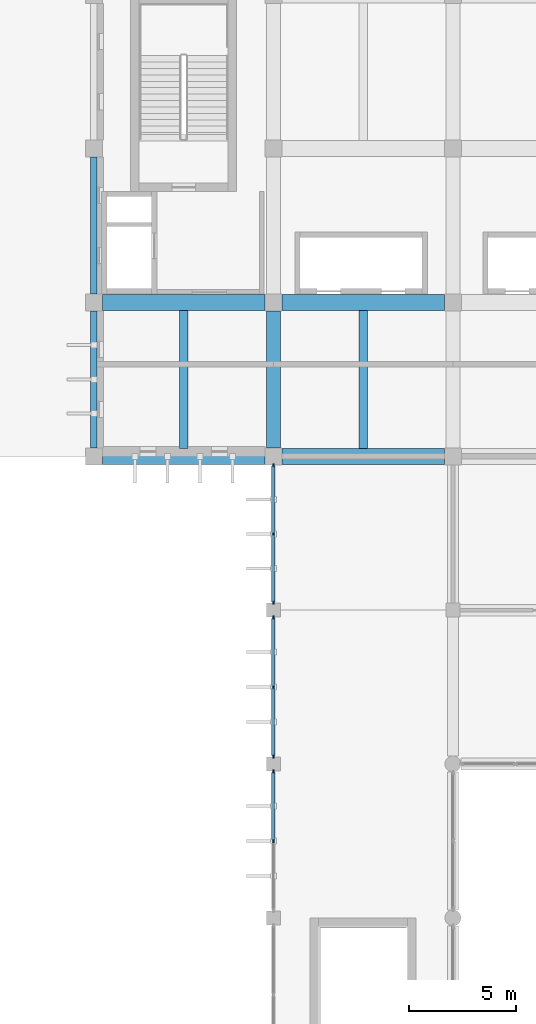
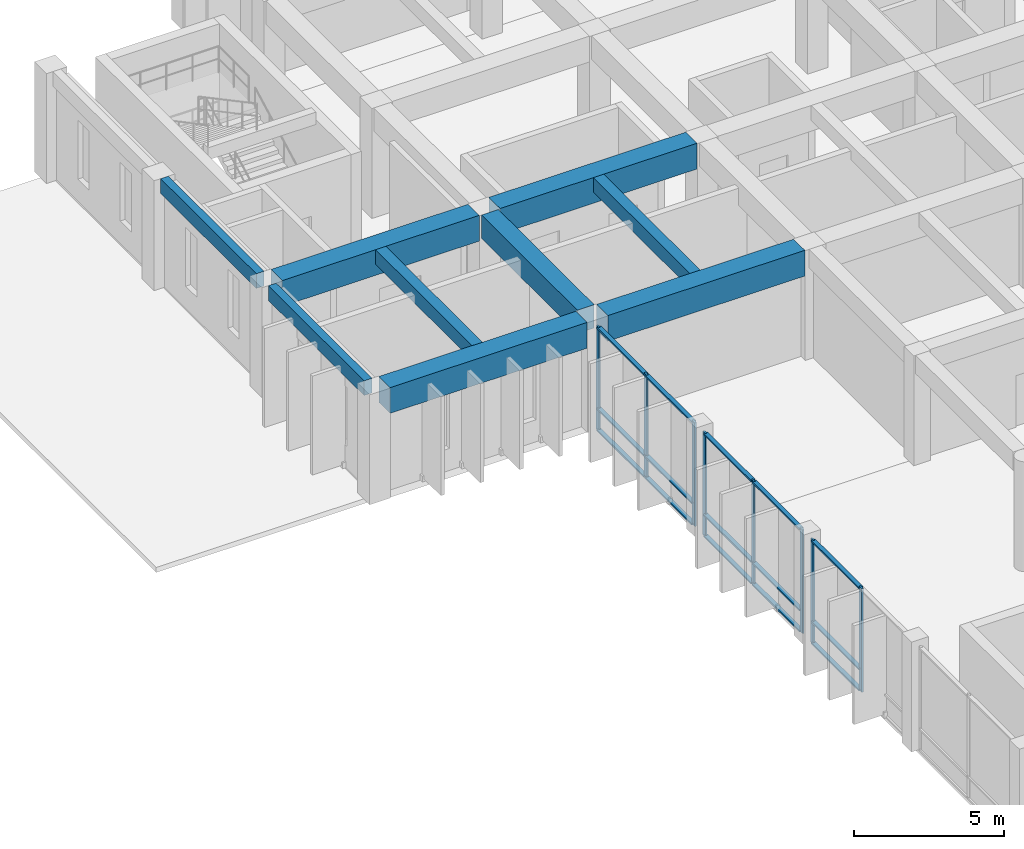
# One storey, part 15 of 40: 23 members, 9 beams, 3 elements without a shape of their own.
"""IFC4 building model written with IfcOpenShell, lengths in metres."""

from ifc_helpers import new_model, si_unit, direction, frame, origin, origin_2d, place, context, subcontext, project, spatial, rectangle, extrude, material, material_profile, profile_set, type_object, element, aggregate, save


model = new_model("IFC4")

# Units and contexts
model_context = context("Model", 3, precision=1e-05, world=origin(), true_north=direction((0.0, 1.0)))
body_context = subcontext(model_context, "Body", "Model", "MODEL_VIEW")
ifc_project = project(units=[si_unit("LENGTHUNIT", "METRE"), si_unit("AREAUNIT", "SQUARE_METRE"), si_unit("VOLUMEUNIT", "CUBIC_METRE"), si_unit("PLANEANGLEUNIT", "RADIAN"), si_unit("MASSUNIT", "GRAM", prefix="KILO")], contexts=[model_context])

# Site, building, storey
site_placement = place(None, origin())
site = spatial("IfcSite", under=ifc_project, at=site_placement, CompositionType="ELEMENT")
building_placement = place(site_placement, origin())
building = spatial("IfcBuilding", under=site, at=building_placement, Name="Kenerak Square Central Library", CompositionType="ELEMENT")
storey_placement = place(building_placement, frame((0.0, 0.0, 14.39990234375)))
storey = spatial("IfcBuildingStorey", under=building, at=storey_placement, Name="L03", CompositionType="ELEMENT", Elevation=14.39990234375)

# Beams
ifc_material_1 = material(Name="Concrete C45/55", Category="concrete")
ifc_material_profile_1 = material_profile(ifc_material_1, rectangle(XDim=0.64990234375, YDim=0.949951171875, at=origin_2d()), Name="RC 650x950")
ifc_profile_set_1 = profile_set([ifc_material_profile_1], Name="Concrete C45/55")
beam_type_1 = type_object("IfcBeamType", Name="Book Stack Girder B-02 RC 650x950 C45/55", PredefinedType="BEAM", material=ifc_profile_set_1)
beam_1_placement = place(storey_placement, frame((66.800048828125, 89.199951171875, 4.005126953125), z_axis=(0.0, 1.0, 0.0), x_axis=(-1.0, 0.0, 0.0)))
element("IfcBeam", 1, at=beam_1_placement, inside=storey, type_object=beam_type_1, Name="Beam B-02 L03 1464", PredefinedType="BEAM", context=body_context, shape_type="SweptSolid", body=[
    extrude(rectangle(XDim=0.64990234375, YDim=0.949951171875, at=origin_2d()), origin(), (0.0, 0.0, 1.0), 6.400146484375),
])
ifc_material_profile_2 = material_profile(ifc_material_1, rectangle(XDim=0.75, YDim=1.050048828125, at=origin_2d()), Name="RC 750x1050")
ifc_profile_set_2 = profile_set([ifc_material_profile_2], Name="Concrete C45/55")
beam_type_2 = type_object("IfcBeamType", Name="Compact Stack Girder B-01 RC 750x1050 C45/55", PredefinedType="BEAM", material=ifc_profile_set_2)
beam_2_placement = place(storey_placement, frame((58.800048828125, 88.800048828125, 3.955078125), z_axis=(1.0, 0.0, 0.0), x_axis=(0.0, 1.0, 0.0)))
element("IfcBeam", 2, at=beam_2_placement, inside=storey, type_object=beam_type_2, Name="Beam B-01 L03 1435", PredefinedType="BEAM", context=body_context, shape_type="SweptSolid", body=[
    extrude(rectangle(XDim=0.75, YDim=1.050048828125, at=origin_2d()), origin(), (0.0, 0.0, 1.0), 7.599853515625),
])
beam_3_placement = place(storey_placement, frame((67.199951171875, 88.800048828125, 3.955078125), z_axis=(1.0, 0.0, 0.0), x_axis=(0.0, 1.0, 0.0)))
element("IfcBeam", 3, at=beam_3_placement, inside=storey, type_object=beam_type_2, Name="Beam B-01 L03 1436", PredefinedType="BEAM", context=body_context, shape_type="SweptSolid", body=[
    extrude(rectangle(XDim=0.75, YDim=1.050048828125, at=origin_2d()), origin(), (0.0, 0.0, 1.0), 7.60009765625),
])
beam_4_placement = place(storey_placement, frame((58.800048828125, 96.0, 3.955078125), z_axis=(1.0, 0.0, 0.0), x_axis=(0.0, 1.0, 0.0)))
element("IfcBeam", 4, at=beam_4_placement, inside=storey, type_object=beam_type_2, Name="Beam B-01 L03 1443", PredefinedType="BEAM", context=body_context, shape_type="SweptSolid", body=[
    extrude(rectangle(XDim=0.75, YDim=1.050048828125, at=origin_2d()), origin(), (0.0, 0.0, 1.0), 7.599853515625),
])
beam_5_placement = place(storey_placement, frame((67.199951171875, 96.0, 3.955078125), z_axis=(1.0, 0.0, 0.0), x_axis=(0.0, 1.0, 0.0)))
element("IfcBeam", 5, at=beam_5_placement, inside=storey, type_object=beam_type_2, Name="Beam B-01 L03 1444", PredefinedType="BEAM", context=body_context, shape_type="SweptSolid", body=[
    extrude(rectangle(XDim=0.75, YDim=1.050048828125, at=origin_2d()), origin(), (0.0, 0.0, 1.0), 7.60009765625),
])
ifc_material_2 = material(Name="Concrete C40/50", Category="concrete")
ifc_material_profile_3 = material_profile(ifc_material_2, rectangle(XDim=0.300048828125, YDim=0.60009765625, at=origin_2d()), Name="RC 300x600")
ifc_profile_set_3 = profile_set([ifc_material_profile_3], Name="Concrete C40/50")
beam_type_3 = type_object("IfcBeamType", Name="Courtyard Spandrel Beam SP-02 RC 300x600 C40/50", PredefinedType="SPANDREL", material=ifc_profile_set_3)
for number, where, z_axis, x_axis, name in (
    (6, (58.39990234375, 89.199951171875, 4.18017578125), (0.0, 1.0, 0.0), (-1.0, 0.0, 0.0), "Beam SP-02 L03 1461"),
    (7, (58.39990234375, 96.39990234375, 4.18017578125), (0.0, 1.0, 0.0), (-1.0, 0.0, 0.0), "Beam SP-02 L03 1462"),
):
    element("IfcBeam", number, at=place(storey_placement, frame(where, z_axis=z_axis, x_axis=x_axis)), inside=storey, type_object=beam_type_3, Name=name, PredefinedType="SPANDREL", context=body_context, shape_type="SweptSolid", body=[
        extrude(rectangle(XDim=0.300048828125, YDim=0.60009765625, at=origin_2d()), origin(), (0.0, 0.0, 1.0), 6.400146484375),
    ])

# Curtain wall, members
ifc_material_3 = material(Name="Anodised aluminium and solar-control low-E glazing", Category="aluminium")
curtain_wall_type_1 = type_object("IfcCurtainWallType", Name="Curtain Wall CW-V4-65x42 6550x4230", PredefinedType="USERDEFINED", material=ifc_material_3)
curtain_wall_1_placement = place(storey_placement, origin())
curtain_wall_1 = element("IfcCurtainWall", 8, at=curtain_wall_1_placement, inside=storey, type_object=curtain_wall_type_1, Name="Curtain Wall CW-V4-65x42 L03 0113", ObjectType="CURTAIN WALL", PredefinedType="USERDEFINED")
ifc_material_4 = material(Name="Anodised aluminium 6063-T6", Category="aluminium")
ifc_material_profile_4 = material_profile(ifc_material_4, rectangle(XDim=0.06494140625, YDim=0.179931640625, at=origin_2d()), Name="AL MULLION 65x180")
ifc_profile_set_4 = profile_set([ifc_material_profile_4], Name="Anodised aluminium 6063-T6")
member_type_1 = type_object("IfcMemberType", Name="Curtain Mullion CM-01 65x180", PredefinedType="MULLION", material=ifc_profile_set_4)
member_1_placement = place(storey_placement, frame((66.800048828125, 70.800048828125, 0.0), z_axis=(0.0, 0.0, 1.0), x_axis=(-1.0, 0.0, 0.0)))
member_1 = element("IfcMember", 9, at=member_1_placement, type_object=member_type_1, Name="CW-V4-65x42 Mullion 2", PredefinedType="MULLION", context=body_context, shape_type="SweptSolid", body=[
    extrude(rectangle(XDim=0.06494140625, YDim=0.179931640625, at=origin_2d()), origin(), (0.0, 0.0, 1.0), 4.22998046875),
])
member_2_placement = place(storey_placement, frame((66.800048828125, 74.04248046875, 0.0), z_axis=(0.0, 0.0, 1.0), x_axis=(-1.0, 0.0, 0.0)))
member_2 = element("IfcMember", 10, at=member_2_placement, type_object=member_type_1, Name="CW-V4-65x42 Mullion 3", PredefinedType="MULLION", context=body_context, shape_type="SweptSolid", body=[
    extrude(rectangle(XDim=0.06494140625, YDim=0.179931640625, at=origin_2d()), origin(), (0.0, 0.0, 1.0), 4.22998046875),
])

curtain_wall_2_placement = place(storey_placement, origin())
curtain_wall_2 = element("IfcCurtainWall", 11, at=curtain_wall_2_placement, inside=storey, type_object=curtain_wall_type_1, Name="Curtain Wall CW-V4-65x42 L03 0114", ObjectType="CURTAIN WALL", PredefinedType="USERDEFINED")
member_3_placement = place(storey_placement, frame((66.800048828125, 74.757568359375, 0.0), z_axis=(0.0, 0.0, 1.0), x_axis=(-1.0, 0.0, 0.0)))
member_3 = element("IfcMember", 12, at=member_3_placement, type_object=member_type_1, Name="CW-V4-65x42 Mullion 1", PredefinedType="MULLION", context=body_context, shape_type="SweptSolid", body=[
    extrude(rectangle(XDim=0.06494140625, YDim=0.179931640625, at=origin_2d()), origin(), (0.0, 0.0, 1.0), 4.22998046875),
])
member_4_placement = place(storey_placement, frame((66.800048828125, 78.0, 0.0), z_axis=(0.0, 0.0, 1.0), x_axis=(-1.0, 0.0, 0.0)))
member_4 = element("IfcMember", 13, at=member_4_placement, type_object=member_type_1, Name="CW-V4-65x42 Mullion 2", PredefinedType="MULLION", context=body_context, shape_type="SweptSolid", body=[
    extrude(rectangle(XDim=0.06494140625, YDim=0.179931640625, at=origin_2d()), origin(), (0.0, 0.0, 1.0), 4.22998046875),
])
member_5_placement = place(storey_placement, frame((66.800048828125, 81.242431640625, 0.0), z_axis=(0.0, 0.0, 1.0), x_axis=(-1.0, 0.0, 0.0)))
member_5 = element("IfcMember", 14, at=member_5_placement, type_object=member_type_1, Name="CW-V4-65x42 Mullion 3", PredefinedType="MULLION", context=body_context, shape_type="SweptSolid", body=[
    extrude(rectangle(XDim=0.06494140625, YDim=0.179931640625, at=origin_2d()), origin(), (0.0, 0.0, 1.0), 4.22998046875),
])

curtain_wall_type_2 = type_object("IfcCurtainWallType", Name="Curtain Wall CW-V4-64x42 6475x4230", PredefinedType="USERDEFINED", material=ifc_material_3)
curtain_wall_3_placement = place(storey_placement, origin())
curtain_wall_3 = element("IfcCurtainWall", 15, at=curtain_wall_3_placement, inside=storey, type_object=curtain_wall_type_2, Name="Curtain Wall CW-V4-64x42 L03 0115", ObjectType="CURTAIN WALL", PredefinedType="USERDEFINED")
member_6_placement = place(storey_placement, frame((66.800048828125, 81.95751953125, 0.0), z_axis=(0.0, 0.0, 1.0), x_axis=(-1.0, 0.0, 0.0)))
member_6 = element("IfcMember", 16, at=member_6_placement, type_object=member_type_1, Name="CW-V4-64x42 Mullion 1", PredefinedType="MULLION", context=body_context, shape_type="SweptSolid", body=[
    extrude(rectangle(XDim=0.06494140625, YDim=0.179931640625, at=origin_2d()), origin(), (0.0, 0.0, 1.0), 4.22998046875),
])
member_7_placement = place(storey_placement, frame((66.800048828125, 85.16259765625, 0.0), z_axis=(0.0, 0.0, 1.0), x_axis=(-1.0, 0.0, 0.0)))
member_7 = element("IfcMember", 17, at=member_7_placement, type_object=member_type_1, Name="CW-V4-64x42 Mullion 2", PredefinedType="MULLION", context=body_context, shape_type="SweptSolid", body=[
    extrude(rectangle(XDim=0.06494140625, YDim=0.179931640625, at=origin_2d()), origin(), (0.0, 0.0, 1.0), 4.22998046875),
])
member_8_placement = place(storey_placement, frame((66.800048828125, 88.367431640625, 0.0), z_axis=(0.0, 0.0, 1.0), x_axis=(-1.0, 0.0, 0.0)))
member_8 = element("IfcMember", 18, at=member_8_placement, type_object=member_type_1, Name="CW-V4-64x42 Mullion 3", PredefinedType="MULLION", context=body_context, shape_type="SweptSolid", body=[
    extrude(rectangle(XDim=0.06494140625, YDim=0.179931640625, at=origin_2d()), origin(), (0.0, 0.0, 1.0), 4.22998046875),
])

# Member
ifc_material_profile_5 = material_profile(ifc_material_4, rectangle(XDim=0.159912109375, YDim=0.06494140625, at=origin_2d()), Name="AL TRANSOM 160x65")
ifc_profile_set_5 = profile_set([ifc_material_profile_5], Name="Anodised aluminium 6063-T6")
member_type_2 = type_object("IfcMemberType", Name="Curtain Transom CT-11 160x65", PredefinedType="USERDEFINED", material=ifc_profile_set_5)
member_9_placement = place(storey_placement, frame((66.800048828125, 70.83251953125, 0.03271484375), z_axis=(0.0, 1.0, 0.0), x_axis=(-1.0, 0.0, 0.0)))
member_9 = element("IfcMember", 19, at=member_9_placement, type_object=member_type_2, Name="CW-V4-65x42 Transom 2.1", ObjectType="TRANSOM", PredefinedType="USERDEFINED", context=body_context, shape_type="SweptSolid", body=[
    extrude(rectangle(XDim=0.159912109375, YDim=0.06494140625, at=origin_2d()), origin(), (0.0, 0.0, 1.0), 3.177490234375),
])

member_10_placement = place(storey_placement, frame((66.800048828125, 70.83251953125, 0.900146484375), z_axis=(0.0, 1.0, 0.0), x_axis=(-1.0, 0.0, 0.0)))
member_10 = element("IfcMember", 20, at=member_10_placement, type_object=member_type_2, Name="CW-V4-65x42 Transom 2.2", ObjectType="TRANSOM", PredefinedType="USERDEFINED", context=body_context, shape_type="SweptSolid", body=[
    extrude(rectangle(XDim=0.159912109375, YDim=0.06494140625, at=origin_2d()), origin(), (0.0, 0.0, 1.0), 3.177490234375),
])

member_11_placement = place(storey_placement, frame((66.800048828125, 70.83251953125, 4.197509765625), z_axis=(0.0, 1.0, 0.0), x_axis=(-1.0, 0.0, 0.0)))
member_11 = element("IfcMember", 21, at=member_11_placement, type_object=member_type_2, Name="CW-V4-65x42 Transom 2.3", ObjectType="TRANSOM", PredefinedType="USERDEFINED", context=body_context, shape_type="SweptSolid", body=[
    extrude(rectangle(XDim=0.159912109375, YDim=0.06494140625, at=origin_2d()), origin(), (0.0, 0.0, 1.0), 3.177490234375),
])

aggregate(curtain_wall_1, [member_1, member_2, member_9, member_10, member_11])

member_12_placement = place(storey_placement, frame((66.800048828125, 74.7900390625, 0.03271484375), z_axis=(0.0, 1.0, 0.0), x_axis=(-1.0, 0.0, 0.0)))
member_12 = element("IfcMember", 22, at=member_12_placement, type_object=member_type_2, Name="CW-V4-65x42 Transom 1.1", ObjectType="TRANSOM", PredefinedType="USERDEFINED", context=body_context, shape_type="SweptSolid", body=[
    extrude(rectangle(XDim=0.159912109375, YDim=0.06494140625, at=origin_2d()), origin(), (0.0, 0.0, 1.0), 3.177490234375),
])

member_13_placement = place(storey_placement, frame((66.800048828125, 74.7900390625, 0.900146484375), z_axis=(0.0, 1.0, 0.0), x_axis=(-1.0, 0.0, 0.0)))
member_13 = element("IfcMember", 23, at=member_13_placement, type_object=member_type_2, Name="CW-V4-65x42 Transom 1.2", ObjectType="TRANSOM", PredefinedType="USERDEFINED", context=body_context, shape_type="SweptSolid", body=[
    extrude(rectangle(XDim=0.159912109375, YDim=0.06494140625, at=origin_2d()), origin(), (0.0, 0.0, 1.0), 3.177490234375),
])

member_14_placement = place(storey_placement, frame((66.800048828125, 74.7900390625, 4.197509765625), z_axis=(0.0, 1.0, 0.0), x_axis=(-1.0, 0.0, 0.0)))
member_14 = element("IfcMember", 24, at=member_14_placement, type_object=member_type_2, Name="CW-V4-65x42 Transom 1.3", ObjectType="TRANSOM", PredefinedType="USERDEFINED", context=body_context, shape_type="SweptSolid", body=[
    extrude(rectangle(XDim=0.159912109375, YDim=0.06494140625, at=origin_2d()), origin(), (0.0, 0.0, 1.0), 3.177490234375),
])

member_15_placement = place(storey_placement, frame((66.800048828125, 78.032470703125, 0.03271484375), z_axis=(0.0, 1.0, 0.0), x_axis=(-1.0, 0.0, 0.0)))
member_15 = element("IfcMember", 25, at=member_15_placement, type_object=member_type_2, Name="CW-V4-65x42 Transom 2.1", ObjectType="TRANSOM", PredefinedType="USERDEFINED", context=body_context, shape_type="SweptSolid", body=[
    extrude(rectangle(XDim=0.159912109375, YDim=0.06494140625, at=origin_2d()), origin(), (0.0, 0.0, 1.0), 3.177490234375),
])

member_16_placement = place(storey_placement, frame((66.800048828125, 78.032470703125, 0.900146484375), z_axis=(0.0, 1.0, 0.0), x_axis=(-1.0, 0.0, 0.0)))
member_16 = element("IfcMember", 26, at=member_16_placement, type_object=member_type_2, Name="CW-V4-65x42 Transom 2.2", ObjectType="TRANSOM", PredefinedType="USERDEFINED", context=body_context, shape_type="SweptSolid", body=[
    extrude(rectangle(XDim=0.159912109375, YDim=0.06494140625, at=origin_2d()), origin(), (0.0, 0.0, 1.0), 3.177490234375),
])

member_17_placement = place(storey_placement, frame((66.800048828125, 78.032470703125, 4.197509765625), z_axis=(0.0, 1.0, 0.0), x_axis=(-1.0, 0.0, 0.0)))
member_17 = element("IfcMember", 27, at=member_17_placement, type_object=member_type_2, Name="CW-V4-65x42 Transom 2.3", ObjectType="TRANSOM", PredefinedType="USERDEFINED", context=body_context, shape_type="SweptSolid", body=[
    extrude(rectangle(XDim=0.159912109375, YDim=0.06494140625, at=origin_2d()), origin(), (0.0, 0.0, 1.0), 3.177490234375),
])

aggregate(curtain_wall_2, [member_3, member_4, member_5, member_12, member_13, member_14, member_15, member_16, member_17])

member_18_placement = place(storey_placement, frame((66.800048828125, 81.989990234375, 0.03271484375), z_axis=(0.0, 1.0, 0.0), x_axis=(-1.0, 0.0, 0.0)))
member_18 = element("IfcMember", 28, at=member_18_placement, type_object=member_type_2, Name="CW-V4-64x42 Transom 1.1", ObjectType="TRANSOM", PredefinedType="USERDEFINED", context=body_context, shape_type="SweptSolid", body=[
    extrude(rectangle(XDim=0.159912109375, YDim=0.06494140625, at=origin_2d()), origin(), (0.0, 0.0, 1.0), 3.139892578125),
])

member_19_placement = place(storey_placement, frame((66.800048828125, 81.989990234375, 0.900146484375), z_axis=(0.0, 1.0, 0.0), x_axis=(-1.0, 0.0, 0.0)))
member_19 = element("IfcMember", 29, at=member_19_placement, type_object=member_type_2, Name="CW-V4-64x42 Transom 1.2", ObjectType="TRANSOM", PredefinedType="USERDEFINED", context=body_context, shape_type="SweptSolid", body=[
    extrude(rectangle(XDim=0.159912109375, YDim=0.06494140625, at=origin_2d()), origin(), (0.0, 0.0, 1.0), 3.139892578125),
])

member_20_placement = place(storey_placement, frame((66.800048828125, 81.989990234375, 4.197509765625), z_axis=(0.0, 1.0, 0.0), x_axis=(-1.0, 0.0, 0.0)))
member_20 = element("IfcMember", 30, at=member_20_placement, type_object=member_type_2, Name="CW-V4-64x42 Transom 1.3", ObjectType="TRANSOM", PredefinedType="USERDEFINED", context=body_context, shape_type="SweptSolid", body=[
    extrude(rectangle(XDim=0.159912109375, YDim=0.06494140625, at=origin_2d()), origin(), (0.0, 0.0, 1.0), 3.139892578125),
])

member_21_placement = place(storey_placement, frame((66.800048828125, 85.195068359375, 0.03271484375), z_axis=(0.0, 1.0, 0.0), x_axis=(-1.0, 0.0, 0.0)))
member_21 = element("IfcMember", 31, at=member_21_placement, type_object=member_type_2, Name="CW-V4-64x42 Transom 2.1", ObjectType="TRANSOM", PredefinedType="USERDEFINED", context=body_context, shape_type="SweptSolid", body=[
    extrude(rectangle(XDim=0.159912109375, YDim=0.06494140625, at=origin_2d()), origin(), (0.0, 0.0, 1.0), 3.139892578125),
])

member_22_placement = place(storey_placement, frame((66.800048828125, 85.195068359375, 0.900146484375), z_axis=(0.0, 1.0, 0.0), x_axis=(-1.0, 0.0, 0.0)))
member_22 = element("IfcMember", 32, at=member_22_placement, type_object=member_type_2, Name="CW-V4-64x42 Transom 2.2", ObjectType="TRANSOM", PredefinedType="USERDEFINED", context=body_context, shape_type="SweptSolid", body=[
    extrude(rectangle(XDim=0.159912109375, YDim=0.06494140625, at=origin_2d()), origin(), (0.0, 0.0, 1.0), 3.139892578125),
])

member_23_placement = place(storey_placement, frame((66.800048828125, 85.195068359375, 4.197509765625), z_axis=(0.0, 1.0, 0.0), x_axis=(-1.0, 0.0, 0.0)))
member_23 = element("IfcMember", 33, at=member_23_placement, type_object=member_type_2, Name="CW-V4-64x42 Transom 2.3", ObjectType="TRANSOM", PredefinedType="USERDEFINED", context=body_context, shape_type="SweptSolid", body=[
    extrude(rectangle(XDim=0.159912109375, YDim=0.06494140625, at=origin_2d()), origin(), (0.0, 0.0, 1.0), 3.139892578125),
])

aggregate(curtain_wall_3, [member_6, member_7, member_8, member_18, member_19, member_20, member_21, member_22, member_23])

# Beams
ifc_material_profile_6 = material_profile(ifc_material_2, rectangle(XDim=0.39990234375, YDim=0.60009765625, at=origin_2d()), Name="RC 400x600")
ifc_profile_set_6 = profile_set([ifc_material_profile_6], Name="Concrete C40/50")
beam_type_4 = type_object("IfcBeamType", Name="Secondary Floor Joist J-01 RC 400x600 C40/50", PredefinedType="JOIST", material=ifc_profile_set_6)
for number, where, z_axis, x_axis, name in (
    (34, (62.60009765625, 89.175048828125, 4.18017578125), (0.0, 1.0, 0.0), (-1.0, 0.0, 0.0), "Joist J-01 L03 1509"),
    (35, (71.0, 89.175048828125, 4.18017578125), (0.0, 1.0, 0.0), (-1.0, 0.0, 0.0), "Joist J-01 L03 1510"),
):
    element("IfcBeam", number, at=place(storey_placement, frame(where, z_axis=z_axis, x_axis=x_axis)), inside=storey, type_object=beam_type_4, Name=name, PredefinedType="JOIST", context=body_context, shape_type="SweptSolid", body=[
        extrude(rectangle(XDim=0.39990234375, YDim=0.60009765625, at=origin_2d()), origin(), (0.0, 0.0, 1.0), 6.449951171875),
    ])

save(model, "model.ifc")
